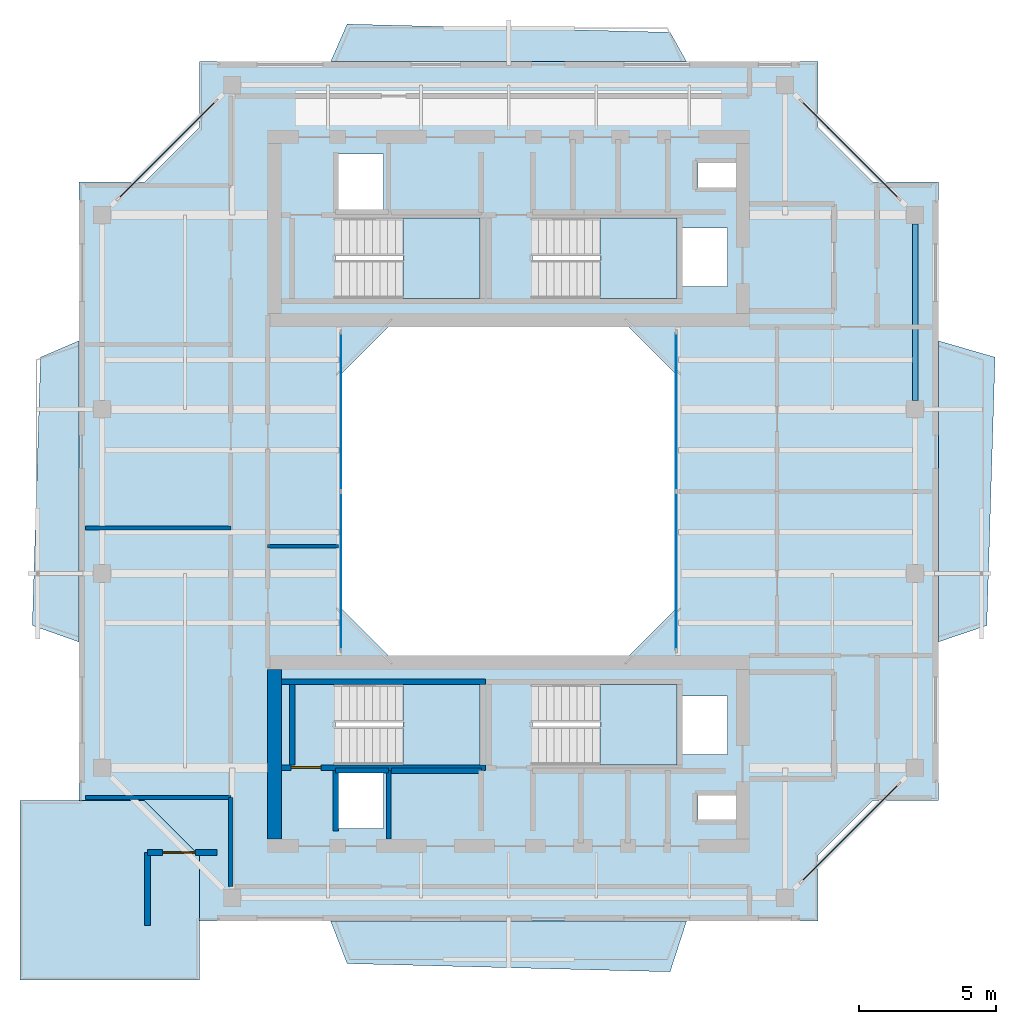
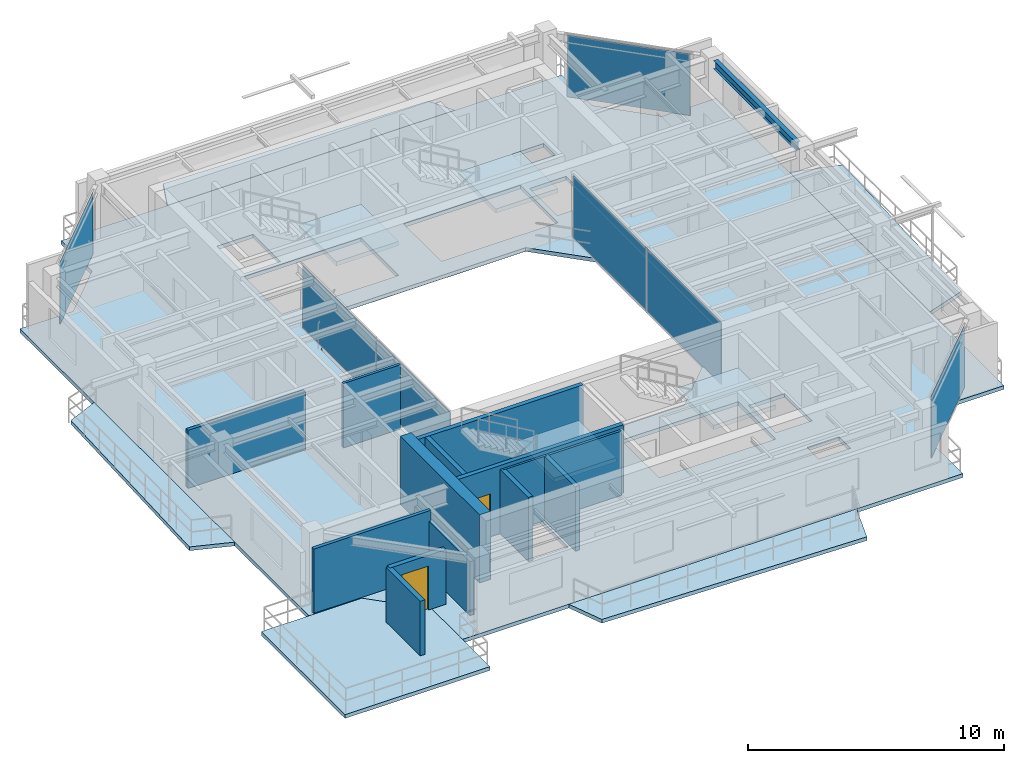
# One storey, part 7 of 14: 14 walls, 10 slabs, 7 plates, 2 doors, 1 beam, 2 openings, 9 elements without a shape of their own.
"""IFC4 building model written with IfcOpenShell, lengths in metres."""

import ifcopenshell
import ifcopenshell.guid

model = None  # the IFC model being written
_history = None  # IfcOwnerHistory: only IFC2X3 demands one
_inside = {}  # id of a spatial element -> (the spatial element, [elements in it])
_under = {}  # id of a project, library or spatial element -> (it, [spatial elements below it])
_declared = {}  # id of a project -> (the project, [libraries it declares])
_typed = {}  # id of a type object -> (the type object, [elements of that type])
_made_of = {}  # id of a material, layer set ... -> (it, [elements and type objects made of it])


def new_model(schema):
    """Start an empty IFC model of exactly this schema.

    Asked for "IFC4X3", IfcOpenShell would pick the latest addendum, in which some entities
    have other attributes; the version numbers below select the first issue.
    IFC2X3 requires an IfcOwnerHistory on every rooted entity: one is made here for all.
    """
    global model, _history
    if schema == "IFC4X3":
        model = ifcopenshell.file(schema_version=(4, 3, 0, 0))
    else:
        model = ifcopenshell.file(schema=schema)
    _inside.clear()
    _under.clear()
    _declared.clear()
    _typed.clear()
    _made_of.clear()
    _history = None
    if model.schema == "IFC2X3":
        org = make("IfcOrganization", Name="unknown")
        user = make(
            "IfcPersonAndOrganization",
            ThePerson=make("IfcPerson", FamilyName="unknown"),
            TheOrganization=org,
        )
        app = make(
            "IfcApplication",
            ApplicationDeveloper=org,
            Version="unknown",
            ApplicationFullName="unknown",
            ApplicationIdentifier="unknown",
        )
        _history = make(
            "IfcOwnerHistory",
            OwningUser=user,
            OwningApplication=app,
            ChangeAction="ADDED",
            CreationDate=0,
        )
    return model


def make(cls, **values):
    """One entity of the class cls with the attributes given. An attribute that is None is left unset."""
    return model.create_entity(
        cls, **{name: value for name, value in values.items() if value is not None}
    )


def rooted(cls, **values):
    """An entity with a GlobalId (a new one), such as an element, a storey or a relation."""
    return make(cls, GlobalId=ifcopenshell.guid.new(), OwnerHistory=_history, **values)


def si_unit(unit_type, name, prefix=None):
    """IfcSIUnit, for example si_unit("LENGTHUNIT", "METRE", prefix="MILLI")."""
    return make("IfcSIUnit", UnitType=unit_type, Prefix=prefix, Name=name)


def assignment(units):
    """IfcUnitAssignment: the units of a project."""
    return None if units is None else make("IfcUnitAssignment", Units=units)


def point(xyz):
    """IfcCartesianPoint."""
    return None if xyz is None else make("IfcCartesianPoint", Coordinates=xyz)


def direction(xyz):
    """IfcDirection."""
    return None if xyz is None else make("IfcDirection", DirectionRatios=xyz)


def frame(location, z_axis=None, x_axis=None):
    """IfcAxis2Placement3D, a coordinate frame: its origin and axes. An axis left out is left unset."""
    return make(
        "IfcAxis2Placement3D",
        Location=point(location),
        Axis=direction(z_axis),
        RefDirection=direction(x_axis),
    )


def frame_2d(location, x_axis=None):
    """IfcAxis2Placement2D, a coordinate frame in the plane: its origin and x axis."""
    return make(
        "IfcAxis2Placement2D", Location=point(location), RefDirection=direction(x_axis)
    )


def origin():
    """The frame at (0, 0, 0) with its axes left unset."""
    return frame((0.0, 0.0, 0.0))


def origin_2d():
    """The frame at (0, 0) in the plane with its x axis left unset."""
    return frame_2d((0.0, 0.0))


def place(relative_to, where):
    """IfcLocalPlacement: puts the frame where relative to a parent placement (None: the world)."""
    return make(
        "IfcLocalPlacement", PlacementRelTo=relative_to, RelativePlacement=where
    )


def context(
    kind, dimensions, precision=None, world=None, true_north=None, identifier=None
):
    """IfcGeometricRepresentationContext, for example the 3D "Model" context."""
    return make(
        "IfcGeometricRepresentationContext",
        ContextIdentifier=identifier,
        ContextType=kind,
        CoordinateSpaceDimension=dimensions,
        Precision=precision,
        WorldCoordinateSystem=world,
        TrueNorth=true_north,
    )


def subcontext(parent, identifier, kind, view, scale=None):
    """IfcGeometricRepresentationSubContext, for example "Body" below "Model"."""
    return make(
        "IfcGeometricRepresentationSubContext",
        ContextIdentifier=identifier,
        ContextType=kind,
        ParentContext=parent,
        TargetScale=scale,
        TargetView=view,
    )


def project(units=None, contexts=None):
    """IfcProject with its units and contexts."""
    return rooted(
        "IfcProject",
        Name="project",
        RepresentationContexts=contexts,
        UnitsInContext=assignment(units),
    )


def spatial(cls, under=None, at=None, **own):
    """A site, building, storey or space (cls), placed at a placement, below another one or the project."""
    s = rooted(cls, ObjectPlacement=at, **own)
    if under is not None:
        _under.setdefault(under.id(), (under, []))[1].append(s)
    return s


def polyline(points):
    """IfcPolyline through the points."""
    return make("IfcPolyline", Points=[point(p) for p in points])


def profile(cls, at=None, kind="AREA", **sizes):
    """A parametric profile (cls). Its sizes go by their IFC names, for example OverallWidth=200.0."""
    return make(cls, ProfileType=kind, Position=at, **sizes)


def rectangle(**sizes):
    """IfcRectangleProfileDef."""
    return profile("IfcRectangleProfileDef", **sizes)


def i_section(**sizes):
    """IfcIShapeProfileDef."""
    return profile("IfcIShapeProfileDef", **sizes)


def outline(outer, holes=None, kind="AREA"):
    """IfcArbitraryClosedProfileDef: a profile drawn as a closed curve; with holes, ...WithVoids."""
    if holes is None:
        return make("IfcArbitraryClosedProfileDef", ProfileType=kind, OuterCurve=outer)
    return make(
        "IfcArbitraryProfileDefWithVoids",
        ProfileType=kind,
        OuterCurve=outer,
        InnerCurves=holes,
    )


def extrude(swept, where, along, depth):
    """IfcExtrudedAreaSolid: the profile swept, set in the frame where, extruded along a direction by depth."""
    return make(
        "IfcExtrudedAreaSolid",
        SweptArea=swept,
        Position=where,
        ExtrudedDirection=direction(along),
        Depth=depth,
    )


def shape(context_of_items, identifier, shape_type, items):
    """IfcShapeRepresentation: the items that make up one representation, for example the "Body"."""
    return make(
        "IfcShapeRepresentation",
        ContextOfItems=context_of_items,
        RepresentationIdentifier=identifier,
        RepresentationType=shape_type,
        Items=items,
    )


def source(mapping_origin, context_of_items, identifier, shape_type, items):
    """IfcRepresentationMap: a shape defined once, which mapped items show again and again."""
    return make(
        "IfcRepresentationMap",
        MappingOrigin=mapping_origin,
        MappedRepresentation=shape(context_of_items, identifier, shape_type, items),
    )


def transform(
    local_origin,
    x_axis=None,
    y_axis=None,
    z_axis=None,
    scale=None,
    scale2=None,
    scale3=None,
    uniform=True,
):
    """IfcCartesianTransformationOperator3D, or its non-uniform kind. x_axis, y_axis, z_axis: its Axis1, 2, 3."""
    if uniform:
        return make(
            "IfcCartesianTransformationOperator3D",
            Axis1=direction(x_axis),
            Axis2=direction(y_axis),
            LocalOrigin=point(local_origin),
            Scale=scale,
            Axis3=direction(z_axis),
        )
    return make(
        "IfcCartesianTransformationOperator3DnonUniform",
        Axis1=direction(x_axis),
        Axis2=direction(y_axis),
        LocalOrigin=point(local_origin),
        Scale=scale,
        Axis3=direction(z_axis),
        Scale2=scale2,
        Scale3=scale3,
    )


def mapped(mapping_source, mapping_target):
    """IfcMappedItem: shows the shape of a source again, moved by a transform."""
    return make(
        "IfcMappedItem", MappingSource=mapping_source, MappingTarget=mapping_target
    )


def material(Name=None, Category=None):
    """IfcMaterial."""
    return make("IfcMaterial", Name=Name, Category=Category)


def layer(
    of_material, thickness, ventilated=None, Name=None, Category=None, Priority=None
):
    """IfcMaterialLayer: one layer of a wall or slab, of a material (None: an air gap)."""
    return make(
        "IfcMaterialLayer",
        Material=of_material,
        LayerThickness=thickness,
        IsVentilated=ventilated,
        Name=Name,
        Category=Category,
        Priority=Priority,
    )


def layer_set(layers, Name=None):
    """IfcMaterialLayerSet."""
    return make("IfcMaterialLayerSet", MaterialLayers=layers, LayerSetName=Name)


def material_profile(
    of_material, cross_section, Name=None, Category=None, Priority=None
):
    """IfcMaterialProfile: a cross section and its material."""
    return make(
        "IfcMaterialProfile",
        Name=Name,
        Material=of_material,
        Profile=cross_section,
        Priority=Priority,
        Category=Category,
    )


def profile_set(profiles, Name=None, composite=None):
    """IfcMaterialProfileSet."""
    return make(
        "IfcMaterialProfileSet",
        Name=Name,
        MaterialProfiles=profiles,
        CompositeProfile=composite,
    )


def made_of(thing, what):
    """Note that an element or type object is made of a material, layer set ...; save() writes the relation."""
    if what is not None:
        _made_of.setdefault(what.id(), (what, []))[1].append(thing)
    return thing


def type_object(cls, material=None, **own):
    """A type object (cls), such as IfcWallType, which elements share."""
    return made_of(rooted(cls, **own), material)


def element(
    cls,
    number,
    at=None,
    inside=None,
    cuts=None,
    type_object=None,
    material=None,
    context=None,
    identifier="Body",
    shape_type=None,
    held_by="IfcProductDefinitionShape",
    body=None,
    shapes=None,
    **own,
):
    """One element of the class cls, such as IfcWall. Its Tag is "e" and its number.

    at: its placement. inside: the storey or other place that contains it. cuts: it is an
    opening in that element (IfcRelVoidsElement). A single representation is given by context,
    identifier, shape_type and body (its items); several are given by shapes. held_by: the class
    of the entity that holds the representations. save() writes the other relations.
    """
    e = rooted(cls, Tag="e%d" % number, ObjectPlacement=at, **own)
    if body is not None:
        shapes = [shape(context, identifier, shape_type, body)]
    if shapes is not None:
        e.Representation = make(held_by, Representations=shapes)
    if inside is not None:
        _inside.setdefault(inside.id(), (inside, []))[1].append(e)
    if cuts is not None:
        rooted(
            "IfcRelVoidsElement", RelatingBuildingElement=cuts, RelatedOpeningElement=e
        )
    if type_object is not None:
        _typed.setdefault(type_object.id(), (type_object, []))[1].append(e)
    return made_of(e, material)


def fill(opening, filler):
    """IfcRelFillsElement: the door or window that sits in an opening."""
    return rooted(
        "IfcRelFillsElement",
        RelatingOpeningElement=opening,
        RelatedBuildingElement=filler,
    )


def aggregate(whole, parts):
    """IfcRelAggregates: a whole, such as a stair, and the parts it consists of."""
    return rooted("IfcRelAggregates", RelatingObject=whole, RelatedObjects=parts)


def save(model, path):
    """Write the relations noted so far, then the file.

    IfcRelAggregates (storeys below a building ...), IfcRelContainedInSpatialStructure (elements
    in a storey), IfcRelDefinesByType, IfcRelAssociatesMaterial and IfcRelDeclares: one each for
    every whole, place, type object, material and project.
    """
    for whole, parts in _under.values():
        aggregate(whole, parts)
    for where, things in _inside.values():
        rooted(
            "IfcRelContainedInSpatialStructure",
            RelatedElements=things,
            RelatingStructure=where,
        )
    for kind, things in _typed.values():
        rooted("IfcRelDefinesByType", RelatedObjects=things, RelatingType=kind)
    for what, things in _made_of.values():
        rooted("IfcRelAssociatesMaterial", RelatedObjects=things, RelatingMaterial=what)
    for by, libraries in _declared.values():
        rooted("IfcRelDeclares", RelatingContext=by, RelatedDefinitions=libraries)
    model.write(path)


model = new_model("IFC4")

# Units and contexts
model_context = context("Model", 3, precision=1e-05, world=origin(), true_north=direction((0.0, 1.0)))
body_context = subcontext(model_context, "Body", "Model", "MODEL_VIEW")
ifc_project = project(units=[si_unit("LENGTHUNIT", "METRE"), si_unit("AREAUNIT", "SQUARE_METRE"), si_unit("VOLUMEUNIT", "CUBIC_METRE"), si_unit("PLANEANGLEUNIT", "RADIAN"), si_unit("MASSUNIT", "GRAM", prefix="KILO"), si_unit("THERMODYNAMICTEMPERATUREUNIT", "KELVIN"), si_unit("POWERUNIT", "WATT")], contexts=[model_context])

# Site, building, storey
site_placement = place(None, origin())
site = spatial("IfcSite", under=ifc_project, at=site_placement, CompositionType="ELEMENT")
building_placement = place(site_placement, origin())
building = spatial("IfcBuilding", under=site, at=building_placement, Name="Qiaomeng Ring Towers", CompositionType="ELEMENT")
storey_placement = place(building_placement, frame((0.0, 0.0, 243.75)))
storey = spatial("IfcBuildingStorey", under=building, at=storey_placement, Name="L71", CompositionType="ELEMENT", Elevation=243.75)

# Beam
ifc_material_1 = material(Name="Steel Q355B", Category="steel")
ifc_material_profile = material_profile(ifc_material_1, i_section(OverallWidth=0.198974609375, OverallDepth=0.39599609375, WebThickness=0.007080078125, FlangeThickness=0.010986328125, FilletRadius=0.01611328125, at=origin_2d()), Name="HN 396x199x7x11")
ifc_profile_set = profile_set([ifc_material_profile], Name="Steel Q355B")
beam_type = type_object("IfcBeamType", Name="STR-BM-HN396", PredefinedType="SPANDREL", material=ifc_profile_set)
shared_shape_1 = source(origin(), body_context, "Body", "SweptSolid", [
    extrude(i_section(OverallWidth=0.198974609375, OverallDepth=0.39599609375, WebThickness=0.007080078125, FlangeThickness=0.010986328125, FilletRadius=0.01611328125, at=origin_2d()), origin(), (0.0, 0.0, 1.0), 6.451904296875),
])
beam_placement = place(storey_placement, frame((33.85009765625, 26.323974609375, 2.8720703125), z_axis=(0.0, 1.0, 0.0), x_axis=(-1.0, 0.0, 0.0)))
element("IfcBeam", 1, at=beam_placement, inside=storey, type_object=beam_type, Name="L71 beam STR-SP-L71-T1-E3-E4", PredefinedType="SPANDREL", context=body_context, shape_type="MappedRepresentation", body=[
    mapped(shared_shape_1, transform((0.0, 0.0, 0.0), x_axis=(1.0, 0.0, 0.0), y_axis=(0.0, 1.0, 0.0), z_axis=(0.0, 0.0, 1.0), scale=1.0)),
])

# Slabs
ifc_material_2 = material(Name="Concrete C40", Category="concrete")
ifc_layer_1 = layer(ifc_material_2, 0.179931640625, Name="Concrete C40")
ifc_layer_set_1 = layer_set([ifc_layer_1], Name="Concrete C40")
slab_type_1 = type_object("IfcSlabType", Name="STR-SL-180", PredefinedType="FLOOR", material=ifc_layer_set_1)
slab_1_placement = place(storey_placement, frame((0.0, 0.0, -0.179931640625)))
element("IfcSlab", 2, at=slab_1_placement, inside=storey, type_object=slab_type_1, Name="L71 Tower 1 Annular Floor Slab", PredefinedType="FLOOR", context=body_context, shape_type="SweptSolid", body=[
    extrude(outline(polyline([(7.699951171875, 7.300048828125), (30.300048828125, 7.300048828125), (30.300048828125, 9.699951171875), (32.300048828125, 11.699951171875), (34.699951171875, 11.699951171875), (34.699951171875, 34.300048828125), (32.300048828125, 34.300048828125), (30.300048828125, 36.300048828125), (30.300048828125, 38.699951171875), (7.699951171875, 38.699951171875), (7.699951171875, 36.300048828125), (5.699951171875, 34.300048828125), (3.300048828125, 34.300048828125), (3.300048828125, 11.699951171875), (5.699951171875, 11.699951171875), (7.699951171875, 9.699951171875), (7.699951171875, 7.300048828125)]), holes=[polyline([(12.780029296875, 10.679931640625), (12.780029296875, 12.820068359375), (14.419921875, 12.820068359375), (14.419921875, 10.679931640625), (12.780029296875, 10.679931640625)]), polyline([(12.679931640625, 13.010009765625), (12.679931640625, 15.949951171875), (17.949951171875, 15.949951171875), (17.949951171875, 13.010009765625), (12.679931640625, 13.010009765625)]), polyline([(23.199951171875, 29.199951171875), (25.199951171875, 27.199951171875), (25.199951171875, 18.800048828125), (23.199951171875, 16.800048828125), (14.800048828125, 16.800048828125), (12.800048828125, 18.800048828125), (12.800048828125, 27.199951171875), (14.800048828125, 29.199951171875), (23.199951171875, 29.199951171875)]), polyline([(12.679931640625, 32.989990234375), (17.949951171875, 32.989990234375), (17.949951171875, 30.050048828125), (12.679931640625, 30.050048828125), (12.679931640625, 32.989990234375)]), polyline([(19.8798828125, 32.989990234375), (25.14990234375, 32.989990234375), (25.14990234375, 30.050048828125), (19.8798828125, 30.050048828125), (19.8798828125, 32.989990234375)]), polyline([(12.780029296875, 33.179931640625), (12.780029296875, 35.320068359375), (14.419921875, 35.320068359375), (14.419921875, 33.179931640625), (12.780029296875, 33.179931640625)]), polyline([(25.919921875, 11.89990234375), (27.360107421875, 11.89990234375), (27.360107421875, 11.0), (25.919921875, 11.0), (25.919921875, 11.89990234375)]), polyline([(25.360107421875, 15.52001953125), (27.0, 15.52001953125), (27.0, 13.3798828125), (25.360107421875, 13.3798828125), (25.360107421875, 15.52001953125)]), polyline([(19.8798828125, 13.010009765625), (19.8798828125, 15.949951171875), (25.14990234375, 15.949951171875), (25.14990234375, 13.010009765625), (19.8798828125, 13.010009765625)]), polyline([(25.360107421875, 32.6201171875), (27.0, 32.6201171875), (27.0, 30.47998046875), (25.360107421875, 30.47998046875), (25.360107421875, 32.6201171875)]), polyline([(25.919921875, 35.0), (27.360107421875, 35.0), (27.360107421875, 34.10009765625), (25.919921875, 34.10009765625), (25.919921875, 35.0)])]), origin(), (0.0, 0.0, 1.0), 0.179931640625),
])
ifc_layer_2 = layer(ifc_material_2, 0.179931640625, Name="Concrete C40")
ifc_layer_set_2 = layer_set([ifc_layer_2], Name="Concrete C40")
slab_type_2 = type_object("IfcSlabType", Name="STR-SL-BAL", PredefinedType="FLOOR", material=ifc_layer_set_2)
slab_2_placement = place(storey_placement, frame((0.0, 0.0, -0.179931640625)))
element("IfcSlab", 3, at=slab_2_placement, inside=storey, type_object=slab_type_2, Name="L71 Tower 1 S Faceted Balcony Slab", PredefinedType="FLOOR", context=body_context, shape_type="SweptSolid", body=[
    extrude(outline(polyline([(24.89990234375, 5.449951171875), (13.10009765625, 5.75), (12.5, 7.300048828125), (25.5, 7.300048828125), (24.89990234375, 5.449951171875)])), origin(), (0.0, 0.0, 1.0), 0.179931640625),
])
slab_3_placement = place(storey_placement, frame((0.0, 0.0, -0.179931640625)))
element("IfcSlab", 4, at=slab_3_placement, inside=storey, type_object=slab_type_2, Name="L71 Tower 1 E Faceted Balcony Slab", PredefinedType="FLOOR", context=body_context, shape_type="SweptSolid", body=[
    extrude(outline(polyline([(36.77001953125, 27.89990234375), (36.469970703125, 18.10009765625), (34.699951171875, 17.5), (34.699951171875, 28.5), (36.77001953125, 27.89990234375)])), origin(), (0.0, 0.0, 1.0), 0.179931640625),
])
slab_4_placement = place(storey_placement, frame((0.0, 0.0, -0.179931640625)))
element("IfcSlab", 5, at=slab_4_placement, inside=storey, type_object=slab_type_2, Name="L71 Tower 1 N Faceted Balcony Slab", PredefinedType="FLOOR", context=body_context, shape_type="SweptSolid", body=[
    extrude(outline(polyline([(12.5, 38.699951171875), (13.10009765625, 40.070068359375), (24.89990234375, 39.77001953125), (25.5, 38.699951171875), (12.5, 38.699951171875)])), origin(), (0.0, 0.0, 1.0), 0.179931640625),
])
slab_5_placement = place(storey_placement, frame((0.0, 0.0, -0.179931640625)))
element("IfcSlab", 6, at=slab_5_placement, inside=storey, type_object=slab_type_2, Name="L71 Tower 1 W Faceted Balcony Slab", PredefinedType="FLOOR", context=body_context, shape_type="SweptSolid", body=[
    extrude(outline(polyline([(1.60009765625, 18.10009765625), (1.89990234375, 27.89990234375), (3.300048828125, 28.5), (3.300048828125, 17.5), (1.60009765625, 18.10009765625)])), origin(), (0.0, 0.0, 1.0), 0.179931640625),
])

# Stair, slab
ifc_material_3 = material(Name="Precast concrete C40", Category="concrete")
stair_type = type_object("IfcStairType", Name="ARC-ST-325", PredefinedType="HALF_TURN_STAIR", material=ifc_material_3)
stair_1_placement = place(storey_placement, origin())
stair_1 = element("IfcStair", 7, at=stair_1_placement, inside=storey, type_object=stair_type, Name="L71 Tower 1 North Stair 1", PredefinedType="HALF_TURN_STAIR")
ifc_layer_3 = layer(ifc_material_2, 0.199951171875, Name="Concrete C40")
ifc_layer_set_3 = layer_set([ifc_layer_3], Name="Concrete C40")
slab_type_3 = type_object("IfcSlabType", Name="STR-SL-LANDING", PredefinedType="LANDING", material=ifc_layer_set_3)
slab_6_placement = place(storey_placement, frame((0.0, 0.0, 1.425048828125)))
slab_6 = element("IfcSlab", 8, at=slab_6_placement, type_object=slab_type_3, Name="ST1 landing 1", PredefinedType="LANDING", context=body_context, shape_type="SweptSolid", body=[
    extrude(outline(polyline([(15.139892578125, 30.050048828125), (17.949951171875, 30.050048828125), (17.949951171875, 32.989990234375), (15.139892578125, 32.989990234375), (15.139892578125, 30.050048828125)])), origin(), (0.0, 0.0, 1.0), 0.199951171875),
])
aggregate(stair_1, [slab_6])

stair_2_placement = place(storey_placement, origin())
stair_2 = element("IfcStair", 9, at=stair_2_placement, inside=storey, type_object=stair_type, Name="L71 Tower 1 North Stair 2", PredefinedType="HALF_TURN_STAIR")
slab_7_placement = place(storey_placement, frame((0.0, 0.0, 1.425048828125)))
slab_7 = element("IfcSlab", 10, at=slab_7_placement, type_object=slab_type_3, Name="ST2 landing 1", PredefinedType="LANDING", context=body_context, shape_type="SweptSolid", body=[
    extrude(outline(polyline([(22.340087890625, 30.050048828125), (25.14990234375, 30.050048828125), (25.14990234375, 32.989990234375), (22.340087890625, 32.989990234375), (22.340087890625, 30.050048828125)])), origin(), (0.0, 0.0, 1.0), 0.199951171875),
])
aggregate(stair_2, [slab_7])

stair_3_placement = place(storey_placement, origin())
stair_3 = element("IfcStair", 11, at=stair_3_placement, inside=storey, type_object=stair_type, Name="L71 Tower 1 South Stair 3", PredefinedType="HALF_TURN_STAIR")
slab_8_placement = place(storey_placement, frame((0.0, 0.0, 1.425048828125)))
slab_8 = element("IfcSlab", 12, at=slab_8_placement, type_object=slab_type_3, Name="ST3 landing 1", PredefinedType="LANDING", context=body_context, shape_type="SweptSolid", body=[
    extrude(outline(polyline([(15.139892578125, 13.010009765625), (17.949951171875, 13.010009765625), (17.949951171875, 15.949951171875), (15.139892578125, 15.949951171875), (15.139892578125, 13.010009765625)])), origin(), (0.0, 0.0, 1.0), 0.199951171875),
])
aggregate(stair_3, [slab_8])

stair_4_placement = place(storey_placement, origin())
stair_4 = element("IfcStair", 13, at=stair_4_placement, inside=storey, type_object=stair_type, Name="L71 Tower 1 South Stair 4", PredefinedType="HALF_TURN_STAIR")
slab_9_placement = place(storey_placement, frame((0.0, 0.0, 1.425048828125)))
slab_9 = element("IfcSlab", 14, at=slab_9_placement, type_object=slab_type_3, Name="ST4 landing 1", PredefinedType="LANDING", context=body_context, shape_type="SweptSolid", body=[
    extrude(outline(polyline([(22.340087890625, 13.010009765625), (25.14990234375, 13.010009765625), (25.14990234375, 15.949951171875), (22.340087890625, 15.949951171875), (22.340087890625, 13.010009765625)])), origin(), (0.0, 0.0, 1.0), 0.199951171875),
])
aggregate(stair_4, [slab_9])

# Slab
ifc_layer_4 = layer(ifc_material_2, 0.179931640625, Name="Concrete C40")
ifc_layer_set_4 = layer_set([ifc_layer_4], Name="Concrete C40")
slab_type_4 = type_object("IfcSlabType", Name="STR-SL-TERR180", PredefinedType="FLOOR", material=ifc_layer_set_4)
slab_10_placement = place(storey_placement, frame((0.0, 0.0, -0.179931640625)))
element("IfcSlab", 15, at=slab_10_placement, inside=storey, type_object=slab_type_4, Name="L71 Spiralling Corner Sky Terrace SW", PredefinedType="FLOOR", context=body_context, shape_type="SweptSolid", body=[
    extrude(outline(polyline([(7.699951171875, 5.14990234375), (1.14990234375, 5.14990234375), (1.14990234375, 11.699951171875), (3.300048828125, 11.699951171875), (3.300048828125, 11.699951171875), (5.699951171875, 11.699951171875), (7.699951171875, 9.699951171875), (7.699951171875, 7.300048828125), (7.699951171875, 7.300048828125), (7.699951171875, 5.14990234375)])), origin(), (0.0, 0.0, 1.0), 0.179931640625),
])

# Curtain wall, plates
ifc_material_4 = material(Name="Fluorocarbon dark-grey aluminium", Category="aluminium")
ifc_layer_5 = layer(ifc_material_4, 0.139892578125, Name="Fluorocarbon dark-grey aluminium")
ifc_layer_set_5 = layer_set([ifc_layer_5], Name="Fluorocarbon dark-grey aluminium")
curtain_wall_type_1 = type_object("IfcCurtainWallType", Name="ARC-CW-4", PredefinedType="NOTDEFINED", material=ifc_layer_set_5)
curtain_wall_1_placement = place(storey_placement, origin())
curtain_wall_1 = element("IfcCurtainWall", 16, at=curtain_wall_1_placement, inside=storey, type_object=curtain_wall_type_1, Name="L71 Curtain Wall CW4", PredefinedType="NOTDEFINED")
ifc_material_5 = material(Name="Low-E dark-grey laminated double glazing", Category="glass")
ifc_layer_6 = layer(ifc_material_5, 0.028076171875, Name="Low-E dark-grey laminated double glazing")
ifc_layer_set_6 = layer_set([ifc_layer_6], Name="Low-E dark-grey laminated double glazing")
plate_type = type_object("IfcPlateType", Name="ARC-CWP-DARK", PredefinedType="CURTAIN_PANEL", material=ifc_layer_set_6)
shared_shape_2 = source(origin(), body_context, "Body", "SweptSolid", [
    extrude(rectangle(XDim=5.75244140625, YDim=0.028076171875, at=origin_2d()), origin(), (0.0, 0.0, 1.0), 2.93994140625),
])
plate_1_placement = place(storey_placement, frame((12.8798828125, 20.09130859375, 0.06494140625), z_axis=(0.0, 0.0, 1.0), x_axis=(0.0, 1.0, 0.0)))
plate_1 = element("IfcPlate", 17, at=plate_1_placement, type_object=plate_type, Name="CW4 panel 1.1", PredefinedType="CURTAIN_PANEL", context=body_context, shape_type="MappedRepresentation", body=[
    mapped(shared_shape_2, transform((0.0, 0.0, 0.0), x_axis=(1.0, 0.0, 0.0), y_axis=(0.0, 1.0, 0.0), z_axis=(0.0, 0.0, 1.0), scale=1.0)),
])
plate_2_placement = place(storey_placement, frame((12.8798828125, 25.90869140625, 0.06494140625), z_axis=(0.0, 0.0, 1.0), x_axis=(0.0, 1.0, 0.0)))
plate_2 = element("IfcPlate", 18, at=plate_2_placement, type_object=plate_type, Name="CW4 panel 2.1", PredefinedType="CURTAIN_PANEL", context=body_context, shape_type="MappedRepresentation", body=[
    mapped(shared_shape_2, transform((0.0, 0.0, 0.0), x_axis=(1.0, 0.0, 0.0), y_axis=(0.0, 1.0, 0.0), z_axis=(0.0, 0.0, 1.0), scale=1.0)),
])
aggregate(curtain_wall_1, [plate_1, plate_2])

curtain_wall_2_placement = place(storey_placement, origin())
curtain_wall_2 = element("IfcCurtainWall", 19, at=curtain_wall_2_placement, inside=storey, type_object=curtain_wall_type_1, Name="L71 Curtain Wall CW4", PredefinedType="NOTDEFINED")
plate_3_placement = place(storey_placement, frame((25.1201171875, 20.09130859375, 0.06494140625), z_axis=(0.0, 0.0, 1.0), x_axis=(0.0, 1.0, 0.0)))
plate_3 = element("IfcPlate", 20, at=plate_3_placement, type_object=plate_type, Name="CW4 panel 1.1", PredefinedType="CURTAIN_PANEL", context=body_context, shape_type="MappedRepresentation", body=[
    mapped(shared_shape_2, transform((0.0, 0.0, 0.0), x_axis=(1.0, 0.0, 0.0), y_axis=(0.0, 1.0, 0.0), z_axis=(0.0, 0.0, 1.0), scale=1.0)),
])
plate_4_placement = place(storey_placement, frame((25.1201171875, 25.90869140625, 0.06494140625), z_axis=(0.0, 0.0, 1.0), x_axis=(0.0, 1.0, 0.0)))
plate_4 = element("IfcPlate", 21, at=plate_4_placement, type_object=plate_type, Name="CW4 panel 2.1", PredefinedType="CURTAIN_PANEL", context=body_context, shape_type="MappedRepresentation", body=[
    mapped(shared_shape_2, transform((0.0, 0.0, 0.0), x_axis=(1.0, 0.0, 0.0), y_axis=(0.0, 1.0, 0.0), z_axis=(0.0, 0.0, 1.0), scale=1.0)),
])
aggregate(curtain_wall_2, [plate_3, plate_4])

# Curtain wall, plate
ifc_layer_7 = layer(ifc_material_4, 0.14990234375, Name="Fluorocarbon dark-grey aluminium")
ifc_layer_set_7 = layer_set([ifc_layer_7], Name="Fluorocarbon dark-grey aluminium")
curtain_wall_type_2 = type_object("IfcCurtainWallType", Name="ARC-CW-3", PredefinedType="NOTDEFINED", material=ifc_layer_set_7)
curtain_wall_3_placement = place(storey_placement, origin())
curtain_wall_3 = element("IfcCurtainWall", 22, at=curtain_wall_3_placement, inside=storey, type_object=curtain_wall_type_2, Name="L71 Curtain Wall CW3", PredefinedType="NOTDEFINED")
shared_shape_3 = source(origin(), body_context, "Body", "SweptSolid", [
    extrude(rectangle(XDim=4.9794921875, YDim=0.028076171875, at=origin_2d()), origin(), (0.0, 0.0, 1.0), 2.93994140625),
])
plate_5_placement = place(storey_placement, frame((31.47509765625, 10.52490234375, 0.06494140625), z_axis=(0.0, 0.0, 1.0), x_axis=(0.707106781187, 0.707106781187, 0.0)))
plate_5 = element("IfcPlate", 23, at=plate_5_placement, type_object=plate_type, Name="CW3 panel 1.1", PredefinedType="CURTAIN_PANEL", context=body_context, shape_type="MappedRepresentation", body=[
    mapped(shared_shape_3, transform((0.0, 0.0, 0.0), x_axis=(1.0, 0.0, 0.0), y_axis=(0.0, 1.0, 0.0), z_axis=(0.0, 0.0, 1.0), scale=1.0)),
])
aggregate(curtain_wall_3, [plate_5])

curtain_wall_4_placement = place(storey_placement, origin())
curtain_wall_4 = element("IfcCurtainWall", 24, at=curtain_wall_4_placement, inside=storey, type_object=curtain_wall_type_2, Name="L71 Curtain Wall CW3", PredefinedType="NOTDEFINED")
plate_6_placement = place(storey_placement, frame((31.47509765625, 35.47509765625, 0.06494140625), z_axis=(0.0, 0.0, 1.0), x_axis=(-0.707106781187, 0.707106781187, 0.0)))
plate_6 = element("IfcPlate", 25, at=plate_6_placement, type_object=plate_type, Name="CW3 panel 1.1", PredefinedType="CURTAIN_PANEL", context=body_context, shape_type="MappedRepresentation", body=[
    mapped(shared_shape_3, transform((0.0, 0.0, 0.0), x_axis=(1.0, 0.0, 0.0), y_axis=(0.0, 1.0, 0.0), z_axis=(0.0, 0.0, 1.0), scale=1.0)),
])
aggregate(curtain_wall_4, [plate_6])

curtain_wall_5_placement = place(storey_placement, origin())
curtain_wall_5 = element("IfcCurtainWall", 26, at=curtain_wall_5_placement, inside=storey, type_object=curtain_wall_type_2, Name="L71 Curtain Wall CW3", PredefinedType="NOTDEFINED")
plate_7_placement = place(storey_placement, frame((6.52490234375, 35.47509765625, 0.06494140625), z_axis=(0.0, 0.0, 1.0), x_axis=(-0.707106781187, -0.707106781187, 0.0)))
plate_7 = element("IfcPlate", 27, at=plate_7_placement, type_object=plate_type, Name="CW3 panel 1.1", PredefinedType="CURTAIN_PANEL", context=body_context, shape_type="MappedRepresentation", body=[
    mapped(shared_shape_3, transform((0.0, 0.0, 0.0), x_axis=(1.0, 0.0, 0.0), y_axis=(0.0, 1.0, 0.0), z_axis=(0.0, 0.0, 1.0), scale=1.0)),
])
aggregate(curtain_wall_5, [plate_7])

# Wall, opening, door
ifc_layer_8 = layer(ifc_material_3, 0.219970703125, Name="Precast concrete C40")
ifc_layer_set_8 = layer_set([ifc_layer_8], Name="Precast concrete C40")
wall_type_1 = type_object("IfcWallType", Name="ARC-WL-EW2", PredefinedType="STANDARD", material=ifc_layer_set_8)
wall_1_placement = place(storey_placement, frame((5.81005859375, 9.81005859375, 0.0), z_axis=(0.0, 0.0, 1.0), x_axis=(1.0, 0.0, 0.0)))
wall_1 = element("IfcWall", 28, at=wall_1_placement, inside=storey, type_object=wall_type_1, Name="L71 Spiral Terrace Wall SW", PredefinedType="STANDARD", context=body_context, shape_type="SweptSolid", body=[
    extrude(rectangle(XDim=2.5400390625, YDim=0.219970703125, at=frame_2d((1.27001953125, 0.0))), origin(), (0.0, 0.0, 1.0), 2.610107421875),
])
opening_1_placement = place(wall_1_placement, frame((0.550048828125, 0.0, 0.0)))
opening_1 = element("IfcOpeningElement", 29, at=opening_1_placement, cuts=wall_1, Name="Opening BD1", PredefinedType="OPENING", context=body_context, shape_type="SweptSolid", body=[
    extrude(rectangle(XDim=1.199951171875, YDim=2.10009765625, at=frame_2d((0.60009765625, 1.050048828125))), frame((0.0, 0.119873046875, 0.0), z_axis=(0.0, -1.0, 0.0), x_axis=(1.0, 0.0, 0.0)), (0.0, 0.0, 1.0), 0.239990234375),
])
door_type_1 = type_object("IfcDoorType", Name="ARC-DR-BD1", OperationType="NOTDEFINED", PredefinedType="DOOR", material=ifc_material_5)
shared_shape_4 = source(origin(), body_context, "Body", "SweptSolid", [
    extrude(rectangle(XDim=1.199951171875, YDim=2.10009765625, at=frame_2d((0.60009765625, 1.050048828125))), frame((0.0, 0.02490234375, 0.0), z_axis=(0.0, -1.0, 0.0), x_axis=(1.0, 0.0, 0.0)), (0.0, 0.0, 1.0), 0.050048828125),
])
door_1_placement = place(opening_1_placement, origin())
door_1 = element("IfcDoor", 30, at=door_1_placement, inside=storey, type_object=door_type_1, Name="L71 Spiral Sky Terrace Door SW", OperationType="SINGLE_SWING_LEFT", OverallHeight=2.10009765625, OverallWidth=1.199951171875, PredefinedType="DOOR", context=body_context, shape_type="MappedRepresentation", body=[
    mapped(shared_shape_4, transform((0.0, 0.0, 0.0), x_axis=(1.0, 0.0, 0.0), y_axis=(0.0, 1.0, 0.0), z_axis=(0.0, 0.0, 1.0), scale=1.0)),
])
fill(opening_1, door_1)

# Walls
wall_2_placement = place(storey_placement, frame((5.81005859375, 7.14990234375, 0.0), z_axis=(0.0, 0.0, 1.0), x_axis=(0.0, 1.0, 0.0)))
element("IfcWall", 31, at=wall_2_placement, inside=storey, type_object=wall_type_1, Name="L71 Spiral Terrace Return Wall SW", PredefinedType="STANDARD", context=body_context, shape_type="SweptSolid", body=[
    extrude(rectangle(XDim=2.66015625, YDim=0.219970703125, at=frame_2d((1.330078125, 0.0))), origin(), (0.0, 0.0, 1.0), 2.610107421875),
])
ifc_material_6 = material(Name="Autoclaved aerated concrete block", Category="concrete")
ifc_layer_9 = layer(ifc_material_6, 0.199951171875, Name="Autoclaved aerated concrete block")
ifc_layer_set_9 = layer_set([ifc_layer_9], Name="Autoclaved aerated concrete block")
wall_type_2 = type_object("IfcWallType", Name="ARC-WL-PW1", PredefinedType="PARTITIONING", material=ifc_layer_set_9)
wall_3_placement = place(storey_placement, frame((12.679931640625, 10.60009765625, 0.0), z_axis=(0.0, 0.0, 1.0), x_axis=(0.0, 1.0, 0.0)))
element("IfcWall", 32, at=wall_3_placement, inside=storey, type_object=wall_type_2, Name="L71 Interior Wall PW1", PredefinedType="PARTITIONING", context=body_context, shape_type="SweptSolid", body=[
    extrude(rectangle(XDim=2.2099609375, YDim=0.199951171875, at=frame_2d((1.10498046875, 0.0))), origin(), (0.0, 0.0, 1.0), 3.070068359375),
])
wall_4_placement = place(storey_placement, frame((14.719970703125, 12.800048828125, 0.0), z_axis=(0.0, 0.0, 1.0), x_axis=(1.0, 0.0, 0.0)))
element("IfcWall", 33, at=wall_4_placement, inside=storey, type_object=wall_type_2, Name="L71 Interior Wall PW1", PredefinedType="PARTITIONING", context=body_context, shape_type="SweptSolid", body=[
    extrude(rectangle(XDim=3.280029296875, YDim=0.199951171875, at=frame_2d((1.64013671875, 0.0))), origin(), (0.0, 0.0, 1.0), 3.070068359375),
])
ifc_layer_10 = layer(ifc_material_6, 0.179931640625, Name="Autoclaved aerated concrete block")
ifc_layer_set_10 = layer_set([ifc_layer_10], Name="Autoclaved aerated concrete block")
wall_type_3 = type_object("IfcWallType", Name="ARC-WL-PW2", PredefinedType="PARTITIONING", material=ifc_layer_set_10)
wall_5_placement = place(storey_placement, frame((8.85009765625, 8.56005859375, 0.0), z_axis=(0.0, 0.0, 1.0), x_axis=(0.0, 1.0, 0.0)))
element("IfcWall", 34, at=wall_5_placement, inside=storey, type_object=wall_type_3, Name="L71 Interior Wall PW2", PredefinedType="PARTITIONING", context=body_context, shape_type="SweptSolid", body=[
    extrude(rectangle(XDim=3.260009765625, YDim=0.179931640625, at=frame_2d((1.6298828125, 0.0))), origin(), (0.0, 0.0, 1.0), 2.569091796875),
])
ifc_material_7 = material(Name="Gypsum fireboard steel-stud partition", Category="steel")
ifc_layer_11 = layer(ifc_material_7, 0.14990234375, Name="Gypsum fireboard steel-stud partition")
ifc_layer_set_11 = layer_set([ifc_layer_11], Name="Gypsum fireboard steel-stud partition")
wall_type_4 = type_object("IfcWallType", Name="ARC-WL-PW3", PredefinedType="PARTITIONING", material=ifc_layer_set_11)
wall_6_placement = place(storey_placement, frame((3.550048828125, 11.820068359375, 0.0), z_axis=(0.0, 0.0, 1.0), x_axis=(1.0, 0.0, 0.0)))
element("IfcWall", 35, at=wall_6_placement, inside=storey, type_object=wall_type_4, Name="L71 Interior Wall PW3", PredefinedType="PARTITIONING", context=body_context, shape_type="SweptSolid", body=[
    extrude(rectangle(XDim=5.300048828125, YDim=0.14990234375, at=frame_2d((2.64990234375, 0.0))), origin(), (0.0, 0.0, 1.0), 3.070068359375),
])
wall_7_placement = place(storey_placement, frame((3.550048828125, 21.659912109375, 0.0), z_axis=(0.0, 0.0, 1.0), x_axis=(1.0, 0.0, 0.0)))
element("IfcWall", 36, at=wall_7_placement, inside=storey, type_object=wall_type_4, Name="L71 Interior Wall PW3", PredefinedType="PARTITIONING", context=body_context, shape_type="SweptSolid", body=[
    extrude(rectangle(XDim=5.300048828125, YDim=0.14990234375, at=frame_2d((2.64990234375, 0.0))), origin(), (0.0, 0.0, 1.0), 2.77099609375),
])
ifc_material_8 = material(Name="Moisture-resistant gypsum steel-stud partition", Category="steel")
ifc_layer_12 = layer(ifc_material_8, 0.1201171875, Name="Moisture-resistant gypsum steel-stud partition")
ifc_layer_set_12 = layer_set([ifc_layer_12], Name="Moisture-resistant gypsum steel-stud partition")
wall_type_5 = type_object("IfcWallType", Name="ARC-WL-PW4", PredefinedType="PLUMBINGWALL", material=ifc_layer_set_12)
wall_8_placement = place(storey_placement, frame((10.199951171875, 21.0, 0.0), z_axis=(0.0, 0.0, 1.0), x_axis=(1.0, 0.0, 0.0)))
element("IfcWall", 37, at=wall_8_placement, inside=storey, type_object=wall_type_5, Name="L71 Interior Wall PW4", PredefinedType="PLUMBINGWALL", context=body_context, shape_type="SweptSolid", body=[
    extrude(rectangle(XDim=2.580078125, YDim=0.1201171875, at=frame_2d((1.2900390625, 0.0))), origin(), (0.0, 0.0, 1.0), 3.070068359375),
])
ifc_layer_13 = layer(ifc_material_2, 0.199951171875, Name="Concrete C40")
ifc_layer_set_13 = layer_set([ifc_layer_13], Name="Concrete C40")
wall_type_6 = type_object("IfcWallType", Name="STR-WL-STSHAFT", PredefinedType="SHEAR", material=ifc_layer_set_13)
wall_9_placement = place(storey_placement, frame((12.679931640625, 12.800048828125, 0.0), z_axis=(0.0, 0.0, 1.0), x_axis=(1.0, 0.0, 0.0)))
element("IfcWall", 38, at=wall_9_placement, inside=storey, type_object=wall_type_6, Name="L71 Lift LP6 Shaft Back Wall", PredefinedType="SHEAR", context=body_context, shape_type="SweptSolid", body=[
    extrude(rectangle(XDim=1.940185546875, YDim=0.179931640625, at=frame_2d((0.97021484375, 0.0))), origin(), (0.0, 0.0, 1.0), 3.070068359375),
])
wall_10_placement = place(storey_placement, frame((14.6201171875, 10.300048828125, 0.0), z_axis=(0.0, 0.0, 1.0), x_axis=(0.0, 1.0, 0.0)))
element("IfcWall", 39, at=wall_10_placement, inside=storey, type_object=wall_type_6, Name="L71 Lift LP6-LP4 Shaft Divider Wall", PredefinedType="SHEAR", context=body_context, shape_type="SweptSolid", body=[
    extrude(rectangle(XDim=2.5, YDim=0.179931640625, at=frame_2d((1.25, 0.0))), origin(), (0.0, 0.0, 1.0), 3.070068359375),
])

# Wall, opening, door
wall_11_placement = place(storey_placement, frame((10.699951171875, 12.909912109375, 0.0), z_axis=(0.0, 0.0, 1.0), x_axis=(1.0, 0.0, 0.0)))
wall_11 = element("IfcWall", 40, at=wall_11_placement, inside=storey, type_object=wall_type_6, Name="L71 Stair ST3 South Shaft Shear Wall", PredefinedType="SHEAR", context=body_context, shape_type="SweptSolid", body=[
    extrude(rectangle(XDim=7.449951171875, YDim=0.199951171875, at=frame_2d((3.72509765625, 0.0))), origin(), (0.0, 0.0, 1.0), 3.25),
])
opening_2_placement = place(wall_11_placement, frame((0.35009765625, 0.0, 0.0)))
opening_2 = element("IfcOpeningElement", 41, at=opening_2_placement, cuts=wall_11, Name="Opening FD3", PredefinedType="OPENING", context=body_context, shape_type="SweptSolid", body=[
    extrude(rectangle(XDim=1.10009765625, YDim=2.050048828125, at=frame_2d((0.550048828125, 1.02490234375))), frame((0.0, 0.10986328125, 0.0), z_axis=(0.0, -1.0, 0.0), x_axis=(1.0, 0.0, 0.0)), (0.0, 0.0, 1.0), 0.219970703125),
])
ifc_material_9 = material(Name="Galvanised steel", Category="steel")
door_type_2 = type_object("IfcDoorType", Name="ARC-DR-FD3", OperationType="NOTDEFINED", PredefinedType="DOOR", material=ifc_material_9)
shared_shape_5 = source(origin(), body_context, "Body", "SweptSolid", [
    extrude(rectangle(XDim=1.10009765625, YDim=2.050048828125, at=frame_2d((0.550048828125, 1.02490234375))), frame((0.0, 0.02490234375, 0.0), z_axis=(0.0, -1.0, 0.0), x_axis=(1.0, 0.0, 0.0)), (0.0, 0.0, 1.0), 0.050048828125),
])
door_2_placement = place(opening_2_placement, frame((1.10009765625, 0.0, 0.0), z_axis=(0.0, 0.0, 1.0), x_axis=(-1.0, 0.0, 0.0)))
door_2 = element("IfcDoor", 42, at=door_2_placement, inside=storey, type_object=door_type_2, Name="L71 Stair ST3 Exit Door", OperationType="SINGLE_SWING_LEFT", OverallHeight=2.050048828125, OverallWidth=1.10009765625, PredefinedType="DOOR", context=body_context, shape_type="MappedRepresentation", body=[
    mapped(shared_shape_5, transform((0.0, 0.0, 0.0), x_axis=(1.0, 0.0, 0.0), y_axis=(0.0, 1.0, 0.0), z_axis=(0.0, 0.0, 1.0), scale=1.0)),
])
fill(opening_2, door_2)

# Walls
wall_12_placement = place(storey_placement, frame((10.699951171875, 16.050048828125, 0.0), z_axis=(0.0, 0.0, 1.0), x_axis=(1.0, 0.0, 0.0)))
element("IfcWall", 43, at=wall_12_placement, inside=storey, type_object=wall_type_6, Name="L71 Stair ST3 North Shaft Shear Wall", PredefinedType="SHEAR", context=body_context, shape_type="SweptSolid", body=[
    extrude(rectangle(XDim=7.449951171875, YDim=0.199951171875, at=frame_2d((3.72509765625, 0.0))), origin(), (0.0, 0.0, 1.0), 3.25),
])
wall_13_placement = place(storey_placement, frame((11.10009765625, 13.010009765625, 0.0), z_axis=(0.0, 0.0, 1.0), x_axis=(0.0, 1.0, 0.0)))
element("IfcWall", 44, at=wall_13_placement, inside=storey, type_object=wall_type_6, Name="L71 Stair ST3 West Shaft Shear Wall", PredefinedType="SHEAR", context=body_context, shape_type="SweptSolid", body=[
    extrude(rectangle(XDim=2.93994140625, YDim=0.199951171875, at=frame_2d((1.469970703125, 0.0))), origin(), (0.0, 0.0, 1.0), 3.25),
])
ifc_layer_14 = layer(ifc_material_2, 0.5, Name="Concrete C40")
ifc_layer_set_14 = layer_set([ifc_layer_14], Name="Concrete C40")
wall_type_7 = type_object("IfcWallType", Name="STR-WL-SW3", PredefinedType="SHEAR", material=ifc_layer_set_14)
wall_14_placement = place(storey_placement, frame((10.449951171875, 10.300048828125, 0.0), z_axis=(0.0, 0.0, 1.0), x_axis=(0.0, 1.0, 0.0)))
element("IfcWall", 45, at=wall_14_placement, inside=storey, type_object=wall_type_7, Name="L71 T1SC west core shear wall", PredefinedType="SHEAR", context=body_context, shape_type="SweptSolid", body=[
    extrude(rectangle(XDim=6.199951171875, YDim=0.5, at=frame_2d((3.10009765625, 0.0))), origin(), (0.0, 0.0, 1.0), 3.25),
])

save(model, "model.ifc")
